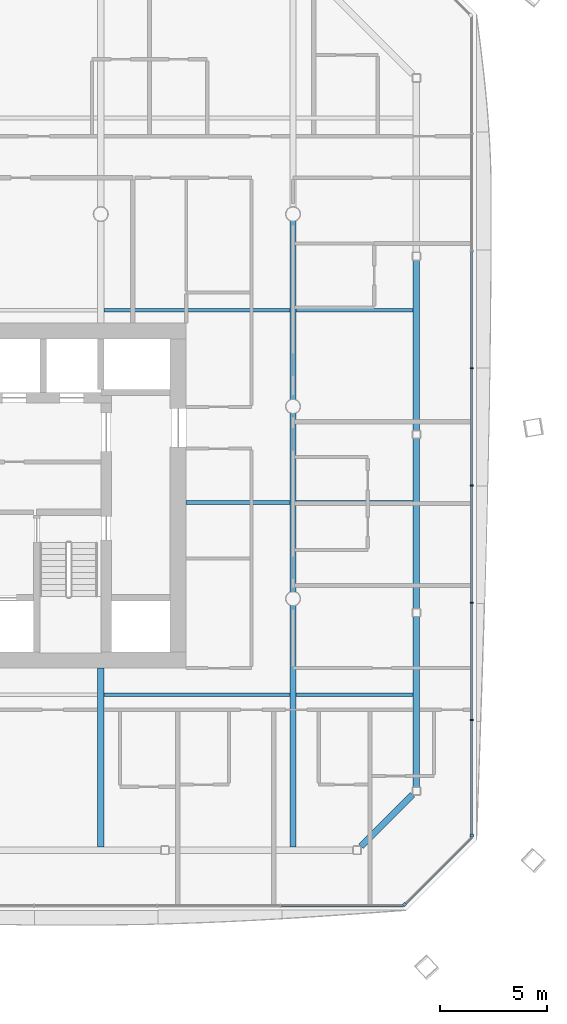
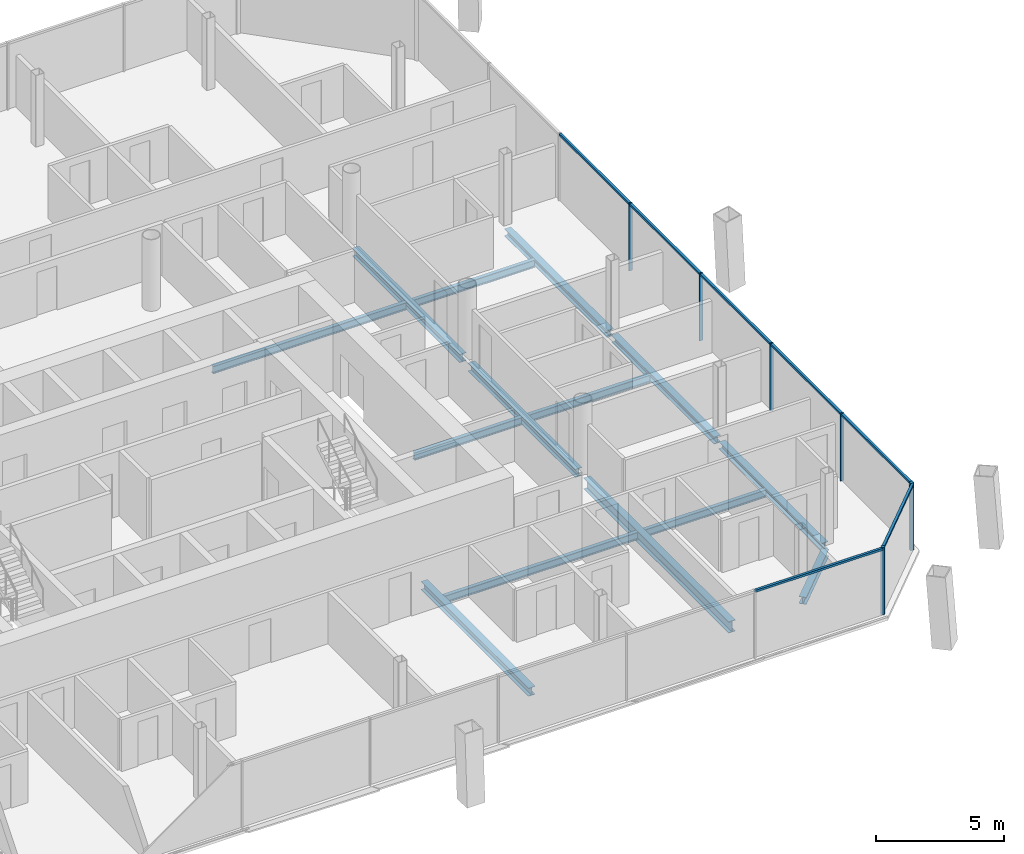
# One storey, part 8 of 22: 14 beams, 13 members, 3 elements without a shape of their own.
"""IFC4 building model written with IfcOpenShell, lengths in metres."""

from ifc_helpers import new_model, si_unit, direction, frame, origin, origin_2d, place, context, subcontext, project, spatial, rectangle, i_section, extrude, material, material_profile, profile_set, type_object, element, aggregate, save


model = new_model("IFC4")

# Units and contexts
model_context = context("Model", 3, precision=1e-05, world=origin(), true_north=direction((0.0, 1.0)))
body_context = subcontext(model_context, "Body", "Model", "MODEL_VIEW")
ifc_project = project(units=[si_unit("LENGTHUNIT", "METRE"), si_unit("AREAUNIT", "SQUARE_METRE"), si_unit("VOLUMEUNIT", "CUBIC_METRE"), si_unit("PLANEANGLEUNIT", "RADIAN"), si_unit("MASSUNIT", "GRAM", prefix="KILO")], contexts=[model_context])

# Site, building, storey
site_placement = place(None, origin())
site = spatial("IfcSite", under=ifc_project, at=site_placement, CompositionType="ELEMENT")
building_placement = place(site_placement, origin())
building = spatial("IfcBuilding", under=site, at=building_placement, Name="Tskaro Facet Tower", CompositionType="ELEMENT")
storey_placement = place(building_placement, frame((0.0, 0.0, 124.89990234375)))
storey = spatial("IfcBuildingStorey", under=building, at=storey_placement, Name="L29", CompositionType="ELEMENT", Elevation=124.89990234375)

# Curtain wall, member
ifc_material_1 = material(Name="Bronze anodised aluminium 6063-T6", Category="aluminium")
curtain_wall_type = type_object("IfcCurtainWallType", Name="Bronze hotel curtain wall (FW2)", PredefinedType="NOTDEFINED", material=ifc_material_1)
curtain_wall_1_placement = place(storey_placement, origin())
curtain_wall_1 = element("IfcCurtainWall", 1, at=curtain_wall_1_placement, inside=storey, type_object=curtain_wall_type, Name="FW2 south-east facet L29", PredefinedType="NOTDEFINED")
ifc_material_profile_1 = material_profile(ifc_material_1, rectangle(XDim=0.14990234375, YDim=0.14990234375, at=origin_2d()), Name="Corner post 150x150")
ifc_profile_set_1 = profile_set([ifc_material_profile_1], Name="Bronze anodised aluminium 6063-T6")
member_type_1 = type_object("IfcMemberType", Name="FW2 bronze corner post 150x150", PredefinedType="MULLION", material=ifc_profile_set_1)
member_1_placement = place(storey_placement, frame((23.218994140625, -23.31396484375, 0.0), z_axis=(0.0, 0.0, 1.0), x_axis=(0.707106781187, 0.707106781187, 0.0)))
member_1 = element("IfcMember", 2, at=member_1_placement, type_object=member_type_1, Name="FW2 south-east corner post", PredefinedType="MULLION", context=body_context, shape_type="SweptSolid", body=[
    extrude(rectangle(XDim=0.14990234375, YDim=0.14990234375, at=origin_2d()), origin(), (0.0, 0.0, 1.0), 3.2001953125),
])

# Curtain wall, members
curtain_wall_2_placement = place(storey_placement, origin())
curtain_wall_2 = element("IfcCurtainWall", 3, at=curtain_wall_2_placement, inside=storey, type_object=curtain_wall_type, Name="FW2 east facet L29", PredefinedType="NOTDEFINED")
member_2_placement = place(storey_placement, frame((26.366943359375, -20.091064453125, 0.0), z_axis=(0.0, 0.0, 1.0), x_axis=(0.0, 1.0, 0.0)))
member_2 = element("IfcMember", 4, at=member_2_placement, type_object=member_type_1, Name="FW2 east corner post", PredefinedType="MULLION", context=body_context, shape_type="SweptSolid", body=[
    extrude(rectangle(XDim=0.14990234375, YDim=0.14990234375, at=origin_2d()), origin(), (0.0, 0.0, 1.0), 3.2001953125),
])
ifc_material_profile_2 = material_profile(ifc_material_1, rectangle(XDim=0.06005859375, YDim=0.14990234375, at=origin_2d()), Name="Mullion 60x150")
ifc_profile_set_2 = profile_set([ifc_material_profile_2], Name="Bronze anodised aluminium 6063-T6")
member_type_2 = type_object("IfcMemberType", Name="FW2 bronze mullion 60x150", PredefinedType="MULLION", material=ifc_profile_set_2)
member_3_placement = place(storey_placement, frame((26.366943359375, -14.677490234375, 0.0), z_axis=(0.0, 0.0, 1.0), x_axis=(0.0, 1.0, 0.0)))
member_3 = element("IfcMember", 5, at=member_3_placement, type_object=member_type_2, Name="FW2 east mullion 1", PredefinedType="MULLION", context=body_context, shape_type="SweptSolid", body=[
    extrude(rectangle(XDim=0.06005859375, YDim=0.14990234375, at=origin_2d()), origin(), (0.0, 0.0, 1.0), 3.2001953125),
])
member_4_placement = place(storey_placement, frame((26.366943359375, -9.189208984375, 0.0), z_axis=(0.0, 0.0, 1.0), x_axis=(0.0, 1.0, 0.0)))
member_4 = element("IfcMember", 6, at=member_4_placement, type_object=member_type_2, Name="FW2 east mullion 2", PredefinedType="MULLION", context=body_context, shape_type="SweptSolid", body=[
    extrude(rectangle(XDim=0.06005859375, YDim=0.14990234375, at=origin_2d()), origin(), (0.0, 0.0, 1.0), 3.2001953125),
])
member_5_placement = place(storey_placement, frame((26.366943359375, -3.70068359375, 0.0), z_axis=(0.0, 0.0, 1.0), x_axis=(0.0, 1.0, 0.0)))
member_5 = element("IfcMember", 7, at=member_5_placement, type_object=member_type_2, Name="FW2 east mullion 3", PredefinedType="MULLION", context=body_context, shape_type="SweptSolid", body=[
    extrude(rectangle(XDim=0.06005859375, YDim=0.14990234375, at=origin_2d()), origin(), (0.0, 0.0, 1.0), 3.2001953125),
])
member_6_placement = place(storey_placement, frame((26.366943359375, 1.78759765625, 0.0), z_axis=(0.0, 0.0, 1.0), x_axis=(0.0, 1.0, 0.0)))
member_6 = element("IfcMember", 8, at=member_6_placement, type_object=member_type_2, Name="FW2 east mullion 4", PredefinedType="MULLION", context=body_context, shape_type="SweptSolid", body=[
    extrude(rectangle(XDim=0.06005859375, YDim=0.14990234375, at=origin_2d()), origin(), (0.0, 0.0, 1.0), 3.2001953125),
])

# Curtain wall, member
curtain_wall_3_placement = place(storey_placement, origin())
curtain_wall_3 = element("IfcCurtainWall", 9, at=curtain_wall_3_placement, inside=storey, type_object=curtain_wall_type, Name="FW2 south facet L29", PredefinedType="NOTDEFINED")
ifc_material_profile_3 = material_profile(ifc_material_1, rectangle(XDim=0.110107421875, YDim=0.10009765625, at=origin_2d()), Name="Transom 110x100")
ifc_profile_set_3 = profile_set([ifc_material_profile_3], Name="Bronze anodised aluminium 6063-T6")
member_type_3 = type_object("IfcMemberType", Name="FW2 bronze transom 110x100", PredefinedType="USERDEFINED", material=ifc_profile_set_3)
member_7_placement = place(storey_placement, frame((17.434326171875, -23.366943359375, 3.150146484375), z_axis=(1.0, 0.0, 0.0), x_axis=(0.0, 1.0, 0.0)))
member_7 = element("IfcMember", 10, at=member_7_placement, type_object=member_type_3, Name="FW2 south transom 7.1", ObjectType="TRANSOM", PredefinedType="USERDEFINED", context=body_context, shape_type="SweptSolid", body=[
    extrude(rectangle(XDim=0.110107421875, YDim=0.10009765625, at=origin_2d()), origin(), (0.0, 0.0, 1.0), 5.731689453125),
])
aggregate(curtain_wall_3, [member_7])

# Member
member_8_placement = place(storey_placement, frame((23.27197265625, -23.260986328125, 3.150146484375), z_axis=(0.707106781187, 0.707106781187, 0.0), x_axis=(-0.707106781187, 0.707106781187, 0.0)))
member_8 = element("IfcMember", 11, at=member_8_placement, type_object=member_type_3, Name="FW2 south-east transom 1.1", ObjectType="TRANSOM", PredefinedType="USERDEFINED", context=body_context, shape_type="SweptSolid", body=[
    extrude(rectangle(XDim=0.110107421875, YDim=0.10009765625, at=origin_2d()), origin(), (0.0, 0.0, 1.0), 4.376953125),
])

aggregate(curtain_wall_1, [member_1, member_8])

member_9_placement = place(storey_placement, frame((26.366943359375, -20.01611328125, 3.150146484375), z_axis=(0.0, 1.0, 0.0), x_axis=(-1.0, 0.0, 0.0)))
member_9 = element("IfcMember", 12, at=member_9_placement, type_object=member_type_3, Name="FW2 east transom 1.1", ObjectType="TRANSOM", PredefinedType="USERDEFINED", context=body_context, shape_type="SweptSolid", body=[
    extrude(rectangle(XDim=0.110107421875, YDim=0.10009765625, at=origin_2d()), origin(), (0.0, 0.0, 1.0), 5.30859375),
])

member_10_placement = place(storey_placement, frame((26.366943359375, -14.6474609375, 3.150146484375), z_axis=(0.0, 1.0, 0.0), x_axis=(-1.0, 0.0, 0.0)))
member_10 = element("IfcMember", 13, at=member_10_placement, type_object=member_type_3, Name="FW2 east transom 2.1", ObjectType="TRANSOM", PredefinedType="USERDEFINED", context=body_context, shape_type="SweptSolid", body=[
    extrude(rectangle(XDim=0.110107421875, YDim=0.10009765625, at=origin_2d()), origin(), (0.0, 0.0, 1.0), 5.42822265625),
])

member_11_placement = place(storey_placement, frame((26.366943359375, -9.1591796875, 3.150146484375), z_axis=(0.0, 1.0, 0.0), x_axis=(-1.0, 0.0, 0.0)))
member_11 = element("IfcMember", 14, at=member_11_placement, type_object=member_type_3, Name="FW2 east transom 3.1", ObjectType="TRANSOM", PredefinedType="USERDEFINED", context=body_context, shape_type="SweptSolid", body=[
    extrude(rectangle(XDim=0.110107421875, YDim=0.10009765625, at=origin_2d()), origin(), (0.0, 0.0, 1.0), 5.428466796875),
])

member_12_placement = place(storey_placement, frame((26.366943359375, -3.670654296875, 3.150146484375), z_axis=(0.0, 1.0, 0.0), x_axis=(-1.0, 0.0, 0.0)))
member_12 = element("IfcMember", 15, at=member_12_placement, type_object=member_type_3, Name="FW2 east transom 4.1", ObjectType="TRANSOM", PredefinedType="USERDEFINED", context=body_context, shape_type="SweptSolid", body=[
    extrude(rectangle(XDim=0.110107421875, YDim=0.10009765625, at=origin_2d()), origin(), (0.0, 0.0, 1.0), 5.428466796875),
])

member_13_placement = place(storey_placement, frame((26.366943359375, 1.817626953125, 3.150146484375), z_axis=(0.0, 1.0, 0.0), x_axis=(-1.0, 0.0, 0.0)))
member_13 = element("IfcMember", 16, at=member_13_placement, type_object=member_type_3, Name="FW2 east transom 5.1", ObjectType="TRANSOM", PredefinedType="USERDEFINED", context=body_context, shape_type="SweptSolid", body=[
    extrude(rectangle(XDim=0.110107421875, YDim=0.10009765625, at=origin_2d()), origin(), (0.0, 0.0, 1.0), 5.428466796875),
])

aggregate(curtain_wall_2, [member_2, member_3, member_4, member_5, member_6, member_9, member_10, member_11, member_12, member_13])

# Beams
ifc_material_2 = material(Name="Steel S355J2", Category="steel")
ifc_material_profile_4 = material_profile(ifc_material_2, i_section(OverallWidth=0.300048828125, OverallDepth=0.340087890625, WebThickness=0.011962890625, FlangeThickness=0.021484375, FilletRadius=0.027099609375, at=origin_2d()), Name="HE 340 B")
ifc_profile_set_4 = profile_set([ifc_material_profile_4], Name="Steel S355J2")
beam_type_1 = type_object("IfcBeamType", Name="HE 340 B ring beam", PredefinedType="BEAM", material=ifc_profile_set_4)
beam_1_placement = place(storey_placement, frame((21.184814453125, -20.588134765625, -0.309814453125), z_axis=(0.707106781187, 0.707106781187, 0.0), x_axis=(-0.707106781187, 0.707106781187, 0.0)))
element("IfcBeam", 17, at=beam_1_placement, inside=storey, type_object=beam_type_1, Name="HE 340 B EB5-3", PredefinedType="BEAM", context=body_context, shape_type="SweptSolid", body=[
    extrude(i_section(OverallWidth=0.300048828125, OverallDepth=0.340087890625, WebThickness=0.011962890625, FlangeThickness=0.021484375, FilletRadius=0.027099609375, at=origin_2d()), origin(), (0.0, 0.0, 1.0), 3.39892578125),
])
beam_2_placement = place(storey_placement, frame((23.77392578125, -17.819091796875, -0.309814453125), z_axis=(0.0, 1.0, 0.0), x_axis=(-1.0, 0.0, 0.0)))
element("IfcBeam", 18, at=beam_2_placement, inside=storey, type_object=beam_type_1, Name="HE 340 B EB6-3", PredefinedType="BEAM", context=body_context, shape_type="SweptSolid", body=[
    extrude(i_section(OverallWidth=0.300048828125, OverallDepth=0.340087890625, WebThickness=0.011962890625, FlangeThickness=0.021484375, FilletRadius=0.027099609375, at=origin_2d()), origin(), (0.0, 0.0, 1.0), 7.982177734375),
])
beam_3_placement = place(storey_placement, frame((23.77392578125, -9.47705078125, -0.309814453125), z_axis=(0.0, 1.0, 0.0), x_axis=(-1.0, 0.0, 0.0)))
element("IfcBeam", 19, at=beam_3_placement, inside=storey, type_object=beam_type_1, Name="HE 340 B EB7-3", PredefinedType="BEAM", context=body_context, shape_type="SweptSolid", body=[
    extrude(i_section(OverallWidth=0.300048828125, OverallDepth=0.340087890625, WebThickness=0.011962890625, FlangeThickness=0.021484375, FilletRadius=0.027099609375, at=origin_2d()), origin(), (0.0, 0.0, 1.0), 7.98095703125),
])
beam_4_placement = place(storey_placement, frame((23.77392578125, -1.135986328125, -0.309814453125), z_axis=(0.0, 1.0, 0.0), x_axis=(-1.0, 0.0, 0.0)))
element("IfcBeam", 20, at=beam_4_placement, inside=storey, type_object=beam_type_1, Name="HE 340 B EB8-3", PredefinedType="BEAM", context=body_context, shape_type="SweptSolid", body=[
    extrude(i_section(OverallWidth=0.300048828125, OverallDepth=0.340087890625, WebThickness=0.011962890625, FlangeThickness=0.021484375, FilletRadius=0.027099609375, at=origin_2d()), origin(), (0.0, 0.0, 1.0), 7.98193359375),
])
ifc_material_profile_5 = material_profile(ifc_material_2, i_section(OverallWidth=0.300048828125, OverallDepth=0.389892578125, WebThickness=0.010986328125, FlangeThickness=0.01904296875, FilletRadius=0.027099609375, at=origin_2d()), Name="HE 400 A")
ifc_profile_set_5 = profile_set([ifc_material_profile_5], Name="Steel S355J2")
beam_type_2 = type_object("IfcBeamType", Name="HE 400 A girder", PredefinedType="BEAM", material=ifc_profile_set_5)
beam_5_placement = place(storey_placement, frame((9.0, -20.6240234375, -0.3349609375), z_axis=(0.0, 1.0, 0.0), x_axis=(-1.0, 0.0, 0.0)))
element("IfcBeam", 21, at=beam_5_placement, inside=storey, type_object=beam_type_2, Name="HE 400 A GB5-1-3", PredefinedType="BEAM", context=body_context, shape_type="SweptSolid", body=[
    extrude(i_section(OverallWidth=0.300048828125, OverallDepth=0.389892578125, WebThickness=0.010986328125, FlangeThickness=0.01904296875, FilletRadius=0.027099609375, at=origin_2d()), origin(), (0.0, 0.0, 1.0), 8.3740234375),
])
for number, where, z_axis, x_axis, name in (
    (22, (18.0, -8.674560546875, -0.3349609375), (0.0, 1.0, 0.0), (-1.0, 0.0, 0.0), "HE 400 A GB6-2-3"),
    (23, (18.0, 0.325439453125, -0.3349609375), (0.0, 1.0, 0.0), (-1.0, 0.0, 0.0), "HE 400 A GB6-3-3"),
):
    element("IfcBeam", number, at=place(storey_placement, frame(where, z_axis=z_axis, x_axis=x_axis)), inside=storey, type_object=beam_type_2, Name=name, PredefinedType="BEAM", context=body_context, shape_type="SweptSolid", body=[
        extrude(i_section(OverallWidth=0.300048828125, OverallDepth=0.389892578125, WebThickness=0.010986328125, FlangeThickness=0.01904296875, FilletRadius=0.027099609375, at=origin_2d()), origin(), (0.0, 0.0, 1.0), 8.34912109375),
    ])
ifc_material_profile_6 = material_profile(ifc_material_2, i_section(OverallWidth=0.300048828125, OverallDepth=0.5400390625, WebThickness=0.012451171875, FlangeThickness=0.02392578125, FilletRadius=0.027099609375, at=origin_2d()), Name="HE 550 A")
ifc_profile_set_6 = profile_set([ifc_material_profile_6], Name="Steel S355J2")
beam_type_3 = type_object("IfcBeamType", Name="HE 550 A long girder", PredefinedType="BEAM", material=ifc_profile_set_6)
beam_6_placement = place(storey_placement, frame((18.0, -20.6240234375, -0.409912109375), z_axis=(0.0, 1.0, 0.0), x_axis=(-1.0, 0.0, 0.0)))
element("IfcBeam", 24, at=beam_6_placement, inside=storey, type_object=beam_type_3, Name="HE 550 A LGB6-1-3", PredefinedType="BEAM", context=body_context, shape_type="SweptSolid", body=[
    extrude(i_section(OverallWidth=0.300048828125, OverallDepth=0.5400390625, WebThickness=0.012451171875, FlangeThickness=0.02392578125, FilletRadius=0.027099609375, at=origin_2d()), origin(), (0.0, 0.0, 1.0), 11.298583984375),
])
ifc_material_profile_7 = material_profile(ifc_material_2, i_section(OverallWidth=0.169921875, OverallDepth=0.360107421875, WebThickness=0.008056640625, FlangeThickness=0.0126953125, FilletRadius=0.01806640625, at=origin_2d()), Name="IPE 360")
ifc_profile_set_7 = profile_set([ifc_material_profile_7], Name="Steel S355J2")
beam_type_4 = type_object("IfcBeamType", Name="IPE 360 secondary beam", PredefinedType="BEAM", material=ifc_profile_set_7)
beam_7_placement = place(storey_placement, frame((9.14990234375, -13.5, -0.31982421875), z_axis=(1.0, 0.0, 0.0), x_axis=(0.0, 1.0, 0.0)))
element("IfcBeam", 25, at=beam_7_placement, inside=storey, type_object=beam_type_4, Name="IPE 360 SB2a-4-3", PredefinedType="BEAM", context=body_context, shape_type="SweptSolid", body=[
    extrude(i_section(OverallWidth=0.169921875, OverallDepth=0.360107421875, WebThickness=0.008056640625, FlangeThickness=0.0126953125, FilletRadius=0.01806640625, at=origin_2d()), origin(), (0.0, 0.0, 1.0), 8.7001953125),
])
beam_8_placement = place(storey_placement, frame((18.14990234375, -13.5, -0.31982421875), z_axis=(1.0, 0.0, 0.0), x_axis=(0.0, 1.0, 0.0)))
element("IfcBeam", 26, at=beam_8_placement, inside=storey, type_object=beam_type_4, Name="IPE 360 SB2a-5-3", PredefinedType="BEAM", context=body_context, shape_type="SweptSolid", body=[
    extrude(i_section(OverallWidth=0.169921875, OverallDepth=0.360107421875, WebThickness=0.008056640625, FlangeThickness=0.0126953125, FilletRadius=0.01806640625, at=origin_2d()), origin(), (0.0, 0.0, 1.0), 5.47412109375),
])
beam_9_placement = place(storey_placement, frame((13.0, -4.5, -0.31982421875), z_axis=(1.0, 0.0, 0.0), x_axis=(0.0, 1.0, 0.0)))
element("IfcBeam", 27, at=beam_9_placement, inside=storey, type_object=beam_type_4, Name="IPE 360 SB3a-2-3", PredefinedType="BEAM", context=body_context, shape_type="SweptSolid", body=[
    extrude(i_section(OverallWidth=0.169921875, OverallDepth=0.360107421875, WebThickness=0.008056640625, FlangeThickness=0.0126953125, FilletRadius=0.01806640625, at=origin_2d()), origin(), (0.0, 0.0, 1.0), 4.85009765625),
])
beam_10_placement = place(storey_placement, frame((18.14990234375, -4.5, -0.31982421875), z_axis=(1.0, 0.0, 0.0), x_axis=(0.0, 1.0, 0.0)))
element("IfcBeam", 28, at=beam_10_placement, inside=storey, type_object=beam_type_4, Name="IPE 360 SB3a-3-3", PredefinedType="BEAM", context=body_context, shape_type="SweptSolid", body=[
    extrude(i_section(OverallWidth=0.169921875, OverallDepth=0.360107421875, WebThickness=0.008056640625, FlangeThickness=0.0126953125, FilletRadius=0.01806640625, at=origin_2d()), origin(), (0.0, 0.0, 1.0), 5.47412109375),
])
beam_11_placement = place(storey_placement, frame((9.14990234375, 4.5, -0.31982421875), z_axis=(1.0, 0.0, 0.0), x_axis=(0.0, 1.0, 0.0)))
element("IfcBeam", 29, at=beam_11_placement, inside=storey, type_object=beam_type_4, Name="IPE 360 SB4a-4-3", PredefinedType="BEAM", context=body_context, shape_type="SweptSolid", body=[
    extrude(i_section(OverallWidth=0.169921875, OverallDepth=0.360107421875, WebThickness=0.008056640625, FlangeThickness=0.0126953125, FilletRadius=0.01806640625, at=origin_2d()), origin(), (0.0, 0.0, 1.0), 8.7001953125),
])
beam_12_placement = place(storey_placement, frame((18.14990234375, 4.5, -0.31982421875), z_axis=(1.0, 0.0, 0.0), x_axis=(0.0, 1.0, 0.0)))
element("IfcBeam", 30, at=beam_12_placement, inside=storey, type_object=beam_type_4, Name="IPE 360 SB4a-5-3", PredefinedType="BEAM", context=body_context, shape_type="SweptSolid", body=[
    extrude(i_section(OverallWidth=0.169921875, OverallDepth=0.360107421875, WebThickness=0.008056640625, FlangeThickness=0.0126953125, FilletRadius=0.01806640625, at=origin_2d()), origin(), (0.0, 0.0, 1.0), 5.47412109375),
])

save(model, "model.ifc")
